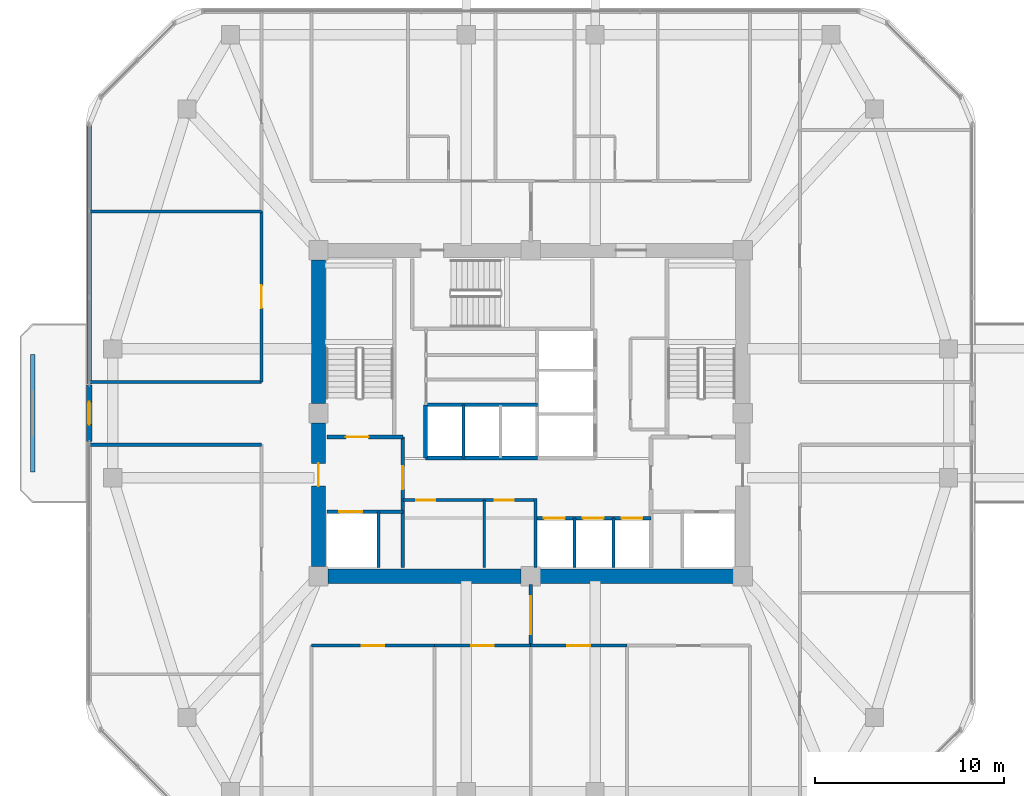
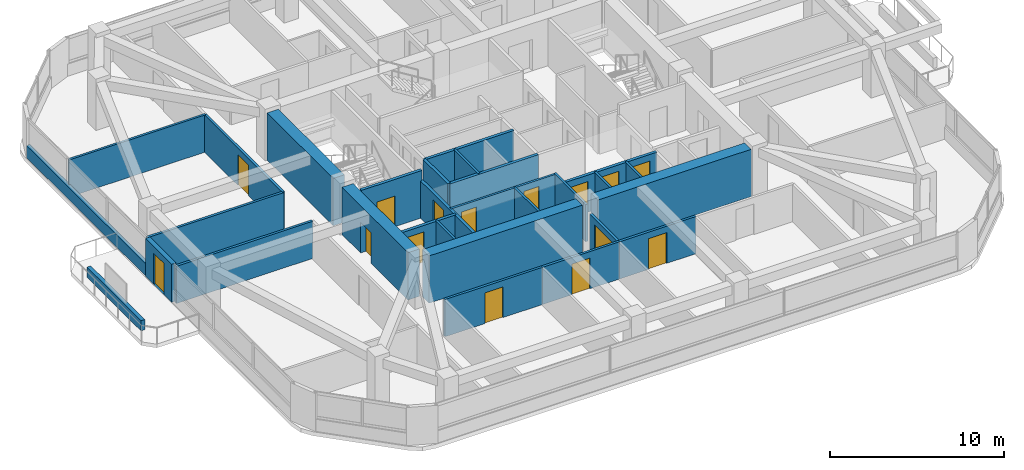
# One storey, part 8 of 13: 29 walls, 15 doors, 15 openings.
"""IFC4 building model written with IfcOpenShell, lengths in metres."""

from ifc_helpers import new_model, si_unit, derived_unit, direction, frame, frame_2d, origin, place, context, subcontext, project, spatial, rectangle, extrude, material, layer, layer_set, type_object, element, fill, save


model = new_model("IFC4")

# Units and contexts
model_context = context("Model", 3, precision=1e-05, world=origin(), true_north=direction((0.0, 1.0)))
body_context = subcontext(model_context, "Body", "Model", "MODEL_VIEW")
ifc_project = project(units=[si_unit("LENGTHUNIT", "METRE"), si_unit("AREAUNIT", "SQUARE_METRE"), si_unit("VOLUMEUNIT", "CUBIC_METRE"), si_unit("PLANEANGLEUNIT", "RADIAN"), si_unit("MASSUNIT", "GRAM", prefix="KILO"), derived_unit("THERMALTRANSMITTANCEUNIT", [(si_unit("POWERUNIT", "WATT"), 1), (si_unit("LENGTHUNIT", "METRE"), -2), (si_unit("THERMODYNAMICTEMPERATUREUNIT", "KELVIN"), -1)])], contexts=[model_context])

# Site, building, storey
site_placement = place(None, origin())
site = spatial("IfcSite", under=ifc_project, at=site_placement, CompositionType="ELEMENT")
building_placement = place(site_placement, origin())
building = spatial("IfcBuilding", under=site, at=building_placement, Name="Koralith Skygarden Medical Center", CompositionType="ELEMENT")
storey_placement = place(building_placement, frame((0.0, 0.0, 142.02001953125)))
storey = spatial("IfcBuildingStorey", under=building, at=storey_placement, Name="L36", CompositionType="ELEMENT", Elevation=142.02001953125)

# Wall, openings, doors
ifc_material_1 = material(Name="Gypsum Board Partition")
ifc_layer_1 = layer(ifc_material_1, 0.14990234375)
ifc_layer_set_1 = layer_set([ifc_layer_1], Name="Gypsum Board Partition")
wall_type_1 = type_object("IfcWallType", Name="Clinical Acoustic Partition 150", PredefinedType="PARTITIONING", material=ifc_layer_set_1)
wall_1_placement = place(storey_placement, frame((30.25, 21.320068359375, 0.0), z_axis=(0.0, 0.0, 1.0), x_axis=(1.0, 0.0, 0.0)))
wall_1 = element("IfcWall", 1, at=wall_1_placement, inside=storey, type_object=wall_type_1, Name="L36 Clinical Acoustic Partition 150 W-CORE-L36-FREED-LR-N", PredefinedType="PARTITIONING", context=body_context, shape_type="SweptSolid", body=[
    extrude(rectangle(XDim=7.0, YDim=0.14990234375, at=frame_2d((3.5, 0.0))), origin(), (0.0, 0.0, 1.0), 2.60986328125),
])
opening_1_placement = place(wall_1_placement, frame((0.699951171875, 0.0, 0.0)))
opening_1 = element("IfcOpeningElement", 2, at=opening_1_placement, cuts=wall_1, Name="Opening D-SUP", PredefinedType="OPENING", context=body_context, shape_type="SweptSolid", body=[
    extrude(rectangle(XDim=1.0, YDim=2.14990234375, at=frame_2d((0.5, 1.074951171875))), frame((0.0, 0.0849609375, 0.0), z_axis=(0.0, -1.0, 0.0), x_axis=(1.0, 0.0, 0.0)), (0.0, 0.0, 1.0), 0.169921875),
])
opening_2_placement = place(wall_1_placement, frame((4.85009765625, 0.0, 0.0)))
opening_2 = element("IfcOpeningElement", 3, at=opening_2_placement, cuts=wall_1, Name="Opening D-SUP", PredefinedType="OPENING", context=body_context, shape_type="SweptSolid", body=[
    extrude(rectangle(XDim=1.0, YDim=2.14990234375, at=frame_2d((0.5, 1.074951171875))), frame((0.0, 0.0849609375, 0.0), z_axis=(0.0, -1.0, 0.0), x_axis=(1.0, 0.0, 0.0)), (0.0, 0.0, 1.0), 0.169921875),
])
ifc_material_2 = material(Name="Aluminium 6063-T6", Category="aluminium")
door_type_1 = type_object("IfcDoorType", Name="Clinical Support Door D-SUP 1000", OperationType="NOTDEFINED", PredefinedType="DOOR", material=ifc_material_2)
door_1_placement = place(opening_1_placement, frame((1.0, 0.0, 0.0), z_axis=(0.0, 0.0, 1.0), x_axis=(-1.0, 0.0, 0.0)))
door_1 = element("IfcDoor", 4, at=door_1_placement, inside=storey, type_object=door_type_1, Name="L36 Medication Preparation Door", OperationType="SINGLE_SWING_LEFT", OverallHeight=2.14990234375, OverallWidth=1.0, PredefinedType="DOOR", context=body_context, shape_type="SweptSolid", body=[
    extrude(rectangle(XDim=1.0, YDim=2.14990234375, at=frame_2d((0.5, 1.074951171875))), frame((0.0, 0.02490234375, 0.0), z_axis=(0.0, -1.0, 0.0), x_axis=(1.0, 0.0, 0.0)), (0.0, 0.0, 1.0), 0.050048828125),
])
fill(opening_1, door_1)
door_2_placement = place(opening_2_placement, frame((1.0, 0.0, 0.0), z_axis=(0.0, 0.0, 1.0), x_axis=(-1.0, 0.0, 0.0)))
door_2 = element("IfcDoor", 5, at=door_2_placement, inside=storey, type_object=door_type_1, Name="L36 Telemetry Room Door", OperationType="SINGLE_SWING_RIGHT", OverallHeight=2.14990234375, OverallWidth=1.0, PredefinedType="DOOR", context=body_context, shape_type="SweptSolid", body=[
    extrude(rectangle(XDim=1.0, YDim=2.14990234375, at=frame_2d((0.5, 1.074951171875))), frame((0.0, 0.02490234375, 0.0), z_axis=(0.0, -1.0, 0.0), x_axis=(1.0, 0.0, 0.0)), (0.0, 0.0, 1.0), 0.050048828125),
])
fill(opening_2, door_2)

# Walls
wall_2_placement = place(storey_placement, frame((34.550048828125, 17.75, 0.0), z_axis=(0.0, 0.0, 1.0), x_axis=(0.0, 1.0, 0.0)))
element("IfcWall", 6, at=wall_2_placement, inside=storey, type_object=wall_type_1, Name="L36 Clinical Acoustic Partition 150 W-CORE-L36-FREED-LR-M", PredefinedType="PARTITIONING", context=body_context, shape_type="SweptSolid", body=[
    extrude(rectangle(XDim=3.570068359375, YDim=0.14990234375, at=frame_2d((1.78515625, 0.0))), origin(), (0.0, 0.0, 1.0), 2.60986328125),
])
wall_3_placement = place(storey_placement, frame((22.7900390625, 36.548095703125, 0.0), z_axis=(0.0, 0.0, 1.0), x_axis=(-1.0, 0.0, 0.0)))
element("IfcWall", 7, at=wall_3_placement, inside=storey, type_object=wall_type_1, Name="L36 Clinical Acoustic Partition 150 W-PART-L36-WN-01", PredefinedType="PARTITIONING", context=body_context, shape_type="SweptSolid", body=[
    extrude(rectangle(XDim=9.073974609375, YDim=0.14990234375, at=frame_2d((4.537109375, 0.0))), origin(), (0.0, 0.0, 1.0), 2.60986328125),
])
ifc_layer_2 = layer(ifc_material_1, 0.1650390625)
ifc_layer_set_2 = layer_set([ifc_layer_2], Name="Gypsum Board Partition")
wall_type_2 = type_object("IfcWallType", Name="Clinical Corridor Partition 165", PredefinedType="PARTITIONING", material=ifc_layer_set_2)
for number, where, z_axis, x_axis, name in (
    (8, (13.716064453125, 24.239990234375, 0.0), (0.0, 0.0, 1.0), (1.0, 0.0, 0.0), "L36 Clinical Corridor Partition 165 W-HCOR-L36-EWS-W"),
    (9, (13.716064453125, 27.56005859375, 0.0), (0.0, 0.0, 1.0), (1.0, 0.0, 0.0), "L36 Clinical Corridor Partition 165 W-HCOR-L36-EWN-W"),
):
    element("IfcWall", number, at=place(storey_placement, frame(where, z_axis=z_axis, x_axis=x_axis)), inside=storey, type_object=wall_type_2, Name=name, PredefinedType="PARTITIONING", context=body_context, shape_type="SweptSolid", body=[
        extrude(rectangle(XDim=9.073974609375, YDim=0.1650390625, at=frame_2d((4.537109375, 0.0))), origin(), (0.0, 0.0, 1.0), 2.60986328125),
    ])

# Wall, opening, door
wall_4_placement = place(storey_placement, frame((25.429931640625, 13.639892578125, 0.0), z_axis=(0.0, 0.0, 1.0), x_axis=(1.0, 0.0, 0.0)))
wall_4 = element("IfcWall", 10, at=wall_4_placement, inside=storey, type_object=wall_type_2, Name="L36 Clinical Corridor Partition 165 W-CORR-L36-S-01", PredefinedType="PARTITIONING", context=body_context, shape_type="SweptSolid", body=[
    extrude(rectangle(XDim=6.484130859375, YDim=0.1650390625, at=frame_2d((3.2421875, 0.0))), origin(), (0.0, 0.0, 1.0), 2.60986328125),
])
opening_3_placement = place(wall_4_placement, frame((2.64208984375, 0.0, 0.0)))
opening_3 = element("IfcOpeningElement", 11, at=opening_3_placement, cuts=wall_4, Name="Opening D-CLN", PredefinedType="OPENING", context=body_context, shape_type="SweptSolid", body=[
    extrude(rectangle(XDim=1.199951171875, YDim=2.14990234375, at=frame_2d((0.60009765625, 1.074951171875))), frame((0.0, 0.092529296875, 0.0), z_axis=(0.0, -1.0, 0.0), x_axis=(1.0, 0.0, 0.0)), (0.0, 0.0, 1.0), 0.18505859375),
])
door_type_2 = type_object("IfcDoorType", Name="Clinical Corridor Door D-CLN 1200", OperationType="NOTDEFINED", PredefinedType="DOOR", material=ifc_material_2)
door_3_placement = place(opening_3_placement, frame((1.199951171875, 0.0, 0.0), z_axis=(0.0, 0.0, 1.0), x_axis=(-1.0, 0.0, 0.0)))
door_3 = element("IfcDoor", 12, at=door_3_placement, inside=storey, type_object=door_type_2, Name="L36 Clinical Consultation Office 06 Door", OperationType="SINGLE_SWING_LEFT", OverallHeight=2.14990234375, OverallWidth=1.199951171875, PredefinedType="DOOR", context=body_context, shape_type="SweptSolid", body=[
    extrude(rectangle(XDim=1.199951171875, YDim=2.14990234375, at=frame_2d((0.60009765625, 1.074951171875))), frame((0.0, 0.02490234375, 0.0), z_axis=(0.0, -1.0, 0.0), x_axis=(1.0, 0.0, 0.0)), (0.0, 0.0, 1.0), 0.050048828125),
])
fill(opening_3, door_3)

wall_5_placement = place(storey_placement, frame((31.9140625, 13.639892578125, 0.0), z_axis=(0.0, 0.0, 1.0), x_axis=(1.0, 0.0, 0.0)))
wall_5 = element("IfcWall", 13, at=wall_5_placement, inside=storey, type_object=wall_type_2, Name="L36 Clinical Corridor Partition 165 W-CORR-L36-S-02", PredefinedType="PARTITIONING", context=body_context, shape_type="SweptSolid", body=[
    extrude(rectangle(XDim=5.0859375, YDim=0.1650390625, at=frame_2d((2.54296875, 0.0))), origin(), (0.0, 0.0, 1.0), 2.60986328125),
])
opening_4_placement = place(wall_5_placement, frame((1.943115234375, 0.0, 0.0)))
opening_4 = element("IfcOpeningElement", 14, at=opening_4_placement, cuts=wall_5, Name="Opening D-CLN", PredefinedType="OPENING", context=body_context, shape_type="SweptSolid", body=[
    extrude(rectangle(XDim=1.199951171875, YDim=2.14990234375, at=frame_2d((0.60009765625, 1.074951171875))), frame((0.0, 0.092529296875, 0.0), z_axis=(0.0, -1.0, 0.0), x_axis=(1.0, 0.0, 0.0)), (0.0, 0.0, 1.0), 0.18505859375),
])
door_4_placement = place(opening_4_placement, frame((1.199951171875, 0.0, 0.0), z_axis=(0.0, 0.0, 1.0), x_axis=(-1.0, 0.0, 0.0)))
door_4 = element("IfcDoor", 15, at=door_4_placement, inside=storey, type_object=door_type_2, Name="L36 Procedure and Minor Treatment Room 07 Door", OperationType="SINGLE_SWING_RIGHT", OverallHeight=2.14990234375, OverallWidth=1.199951171875, PredefinedType="DOOR", context=body_context, shape_type="SweptSolid", body=[
    extrude(rectangle(XDim=1.199951171875, YDim=2.14990234375, at=frame_2d((0.60009765625, 1.074951171875))), frame((0.0, 0.02490234375, 0.0), z_axis=(0.0, -1.0, 0.0), x_axis=(1.0, 0.0, 0.0)), (0.0, 0.0, 1.0), 0.050048828125),
])
fill(opening_4, door_4)

wall_6_placement = place(storey_placement, frame((37.0, 13.639892578125, 0.0), z_axis=(0.0, 0.0, 1.0), x_axis=(1.0, 0.0, 0.0)))
wall_6 = element("IfcWall", 16, at=wall_6_placement, inside=storey, type_object=wall_type_2, Name="L36 Clinical Corridor Partition 165 W-CORR-L36-S-03", PredefinedType="PARTITIONING", context=body_context, shape_type="SweptSolid", body=[
    extrude(rectangle(XDim=5.0859375, YDim=0.1650390625, at=frame_2d((2.54296875, 0.0))), origin(), (0.0, 0.0, 1.0), 2.60986328125),
])
opening_5_placement = place(wall_6_placement, frame((1.943115234375, 0.0, 0.0)))
opening_5 = element("IfcOpeningElement", 17, at=opening_5_placement, cuts=wall_6, Name="Opening D-CLN", PredefinedType="OPENING", context=body_context, shape_type="SweptSolid", body=[
    extrude(rectangle(XDim=1.199951171875, YDim=2.14990234375, at=frame_2d((0.60009765625, 1.074951171875))), frame((0.0, 0.092529296875, 0.0), z_axis=(0.0, -1.0, 0.0), x_axis=(1.0, 0.0, 0.0)), (0.0, 0.0, 1.0), 0.18505859375),
])
door_5_placement = place(opening_5_placement, frame((1.199951171875, 0.0, 0.0), z_axis=(0.0, 0.0, 1.0), x_axis=(-1.0, 0.0, 0.0)))
door_5 = element("IfcDoor", 18, at=door_5_placement, inside=storey, type_object=door_type_2, Name="L36 Wound Care Treatment Room 08 Door", OperationType="SINGLE_SWING_LEFT", OverallHeight=2.14990234375, OverallWidth=1.199951171875, PredefinedType="DOOR", context=body_context, shape_type="SweptSolid", body=[
    extrude(rectangle(XDim=1.199951171875, YDim=2.14990234375, at=frame_2d((0.60009765625, 1.074951171875))), frame((0.0, 0.02490234375, 0.0), z_axis=(0.0, -1.0, 0.0), x_axis=(1.0, 0.0, 0.0)), (0.0, 0.0, 1.0), 0.050048828125),
])
fill(opening_5, door_5)

wall_7_placement = place(storey_placement, frame((22.7900390625, 27.56005859375, 0.0), z_axis=(0.0, 0.0, 1.0), x_axis=(0.0, 1.0, 0.0)))
wall_7 = element("IfcWall", 19, at=wall_7_placement, inside=storey, type_object=wall_type_2, Name="L36 Clinical Corridor Partition 165 W-CORR-L36-WN-01", PredefinedType="PARTITIONING", context=body_context, shape_type="SweptSolid", body=[
    extrude(rectangle(XDim=8.988037109375, YDim=0.1650390625, at=frame_2d((4.494140625, 0.0))), origin(), (0.0, 0.0, 1.0), 2.60986328125),
])
opening_6_placement = place(wall_7_placement, frame((3.89404296875, 0.0, 0.0)))
opening_6 = element("IfcOpeningElement", 20, at=opening_6_placement, cuts=wall_7, Name="Opening D-CLN", PredefinedType="OPENING", context=body_context, shape_type="SweptSolid", body=[
    extrude(rectangle(XDim=1.199951171875, YDim=2.14990234375, at=frame_2d((0.60009765625, 1.074951171875))), frame((0.0, 0.092529296875, 0.0), z_axis=(0.0, -1.0, 0.0), x_axis=(1.0, 0.0, 0.0)), (0.0, 0.0, 1.0), 0.18505859375),
])
door_6_placement = place(opening_6_placement, frame((1.199951171875, 0.0, 0.0), z_axis=(0.0, 0.0, 1.0), x_axis=(-1.0, 0.0, 0.0)))
door_6 = element("IfcDoor", 21, at=door_6_placement, inside=storey, type_object=door_type_2, Name="L36 Wound Care Treatment Room 12 Door", OperationType="SINGLE_SWING_LEFT", OverallHeight=2.14990234375, OverallWidth=1.199951171875, PredefinedType="DOOR", context=body_context, shape_type="SweptSolid", body=[
    extrude(rectangle(XDim=1.199951171875, YDim=2.14990234375, at=frame_2d((0.60009765625, 1.074951171875))), frame((0.0, 0.02490234375, 0.0), z_axis=(0.0, -1.0, 0.0), x_axis=(1.0, 0.0, 0.0)), (0.0, 0.0, 1.0), 0.050048828125),
])
fill(opening_6, door_6)

ifc_layer_3 = layer(ifc_material_1, 0.199951171875)
ifc_layer_set_3 = layer_set([ifc_layer_3], Name="Gypsum Board Partition")
wall_type_3 = type_object("IfcWallType", Name="Fire Shaft Wall 200", PredefinedType="SOLIDWALL", material=ifc_layer_set_3)
wall_8_placement = place(storey_placement, frame((26.25, 20.699951171875, 0.0), z_axis=(0.0, 0.0, 1.0), x_axis=(1.0, 0.0, 0.0)))
wall_8 = element("IfcWall", 22, at=wall_8_placement, inside=storey, type_object=wall_type_3, Name="L36 Fire Shaft Wall 200 W-CORE-L36-FF1-N", PredefinedType="SOLIDWALL", context=body_context, shape_type="SweptSolid", body=[
    extrude(rectangle(XDim=4.0, YDim=0.199951171875, at=frame_2d((2.0, 0.0))), origin(), (0.0, 0.0, 1.0), 2.60986328125),
])
opening_7_placement = place(wall_8_placement, frame((0.64990234375, 0.0, 0.0)))
opening_7 = element("IfcOpeningElement", 23, at=opening_7_placement, cuts=wall_8, Name="Opening LD-FF", PredefinedType="OPENING", context=body_context, shape_type="SweptSolid", body=[
    extrude(rectangle(XDim=1.199951171875, YDim=2.14990234375, at=frame_2d((0.60009765625, 1.074951171875))), frame((0.0, 0.10986328125, 0.0), z_axis=(0.0, -1.0, 0.0), x_axis=(1.0, 0.0, 0.0)), (0.0, 0.0, 1.0), 0.219970703125),
])
ifc_material_3 = material(Name="Steel ASTM A500 Grade C", Category="steel")
door_type_3 = type_object("IfcDoorType", Name="Fire Lift Sliding Landing Door LD-FF 1200", OperationType="NOTDEFINED", PredefinedType="DOOR", material=ifc_material_3)
door_7_placement = place(opening_7_placement, origin())
door_7 = element("IfcDoor", 24, at=door_7_placement, inside=storey, type_object=door_type_3, Name="L36 Fire Service Elevator FF1 Landing Door", OperationType="SLIDING_TO_LEFT", OverallHeight=2.14990234375, OverallWidth=1.199951171875, PredefinedType="DOOR", context=body_context, shape_type="SweptSolid", body=[
    extrude(rectangle(XDim=1.199951171875, YDim=2.14990234375, at=frame_2d((0.60009765625, 1.074951171875))), frame((0.0, 0.02490234375, 0.0), z_axis=(0.0, -1.0, 0.0), x_axis=(1.0, 0.0, 0.0)), (0.0, 0.0, 1.0), 0.050048828125),
])
fill(opening_7, door_7)

wall_9_placement = place(storey_placement, frame((30.25, 17.75, 0.0), z_axis=(0.0, 0.0, 1.0), x_axis=(0.0, 1.0, 0.0)))
wall_9 = element("IfcWall", 25, at=wall_9_placement, inside=storey, type_object=wall_type_3, Name="L36 Fire Shaft Wall 200 W-CORE-L36-FSAEW-E", PredefinedType="SOLIDWALL", context=body_context, shape_type="SweptSolid", body=[
    extrude(rectangle(XDim=6.89990234375, YDim=0.199951171875, at=frame_2d((3.449951171875, 0.0))), origin(), (0.0, 0.0, 1.0), 2.60986328125),
])
opening_8_placement = place(wall_9_placement, frame((4.14990234375, 0.0, 0.0)))
opening_8 = element("IfcOpeningElement", 26, at=opening_8_placement, cuts=wall_9, Name="Opening D-ST60", PredefinedType="OPENING", context=body_context, shape_type="SweptSolid", body=[
    extrude(rectangle(XDim=1.199951171875, YDim=2.14990234375, at=frame_2d((0.60009765625, 1.074951171875))), frame((0.0, 0.10986328125, 0.0), z_axis=(0.0, -1.0, 0.0), x_axis=(1.0, 0.0, 0.0)), (0.0, 0.0, 1.0), 0.219970703125),
])
door_type_4 = type_object("IfcDoorType", Name="Smokeproof Stair Fire Door FD60S 1200", OperationType="NOTDEFINED", PredefinedType="DOOR", material=ifc_material_3)
door_8_placement = place(opening_8_placement, origin())
door_8 = element("IfcDoor", 27, at=door_8_placement, inside=storey, type_object=door_type_4, Name="L36 West Firefighting Lobby Inner Fire Door", OperationType="SINGLE_SWING_LEFT", OverallHeight=2.14990234375, OverallWidth=1.199951171875, PredefinedType="DOOR", context=body_context, shape_type="SweptSolid", body=[
    extrude(rectangle(XDim=1.199951171875, YDim=2.14990234375, at=frame_2d((0.60009765625, 1.074951171875))), frame((0.0, 0.02490234375, 0.0), z_axis=(0.0, -1.0, 0.0), x_axis=(1.0, 0.0, 0.0)), (0.0, 0.0, 1.0), 0.050048828125),
])
fill(opening_8, door_8)

# Wall, openings, doors
wall_10_placement = place(storey_placement, frame((37.25, 20.360107421875, 0.0), z_axis=(0.0, 0.0, 1.0), x_axis=(1.0, 0.0, 0.0)))
wall_10 = element("IfcWall", 28, at=wall_10_placement, inside=storey, type_object=wall_type_3, Name="L36 Fire Shaft Wall 200 W-CORE-L36-PM-N", PredefinedType="SOLIDWALL", context=body_context, shape_type="SweptSolid", body=[
    extrude(rectangle(XDim=6.10009765625, YDim=0.199951171875, at=frame_2d((3.050048828125, 0.0))), origin(), (0.0, 0.0, 1.0), 2.60986328125),
])
opening_9_placement = place(wall_10_placement, frame((0.449951171875, 0.0, 0.0)))
opening_9 = element("IfcOpeningElement", 29, at=opening_9_placement, cuts=wall_10, Name="Opening LD-P", PredefinedType="OPENING", context=body_context, shape_type="SweptSolid", body=[
    extrude(rectangle(XDim=1.10009765625, YDim=2.14990234375, at=frame_2d((0.550048828125, 1.074951171875))), frame((0.0, 0.10986328125, 0.0), z_axis=(0.0, -1.0, 0.0), x_axis=(1.0, 0.0, 0.0)), (0.0, 0.0, 1.0), 0.219970703125),
])
opening_10_placement = place(wall_10_placement, frame((2.5, 0.0, 0.0)))
opening_10 = element("IfcOpeningElement", 30, at=opening_10_placement, cuts=wall_10, Name="Opening LD-P", PredefinedType="OPENING", context=body_context, shape_type="SweptSolid", body=[
    extrude(rectangle(XDim=1.10009765625, YDim=2.14990234375, at=frame_2d((0.550048828125, 1.074951171875))), frame((0.0, 0.10986328125, 0.0), z_axis=(0.0, -1.0, 0.0), x_axis=(1.0, 0.0, 0.0)), (0.0, 0.0, 1.0), 0.219970703125),
])
opening_11_placement = place(wall_10_placement, frame((4.550048828125, 0.0, 0.0)))
opening_11 = element("IfcOpeningElement", 31, at=opening_11_placement, cuts=wall_10, Name="Opening LD-P", PredefinedType="OPENING", context=body_context, shape_type="SweptSolid", body=[
    extrude(rectangle(XDim=1.10009765625, YDim=2.14990234375, at=frame_2d((0.550048828125, 1.074951171875))), frame((0.0, 0.10986328125, 0.0), z_axis=(0.0, -1.0, 0.0), x_axis=(1.0, 0.0, 0.0)), (0.0, 0.0, 1.0), 0.219970703125),
])
door_type_5 = type_object("IfcDoorType", Name="Passenger Lift Sliding Landing Door LD-P 1100", OperationType="NOTDEFINED", PredefinedType="DOOR", material=ifc_material_3)
door_9_placement = place(opening_9_placement, origin())
door_9 = element("IfcDoor", 32, at=door_9_placement, inside=storey, type_object=door_type_5, Name="L36 Passenger Elevator PM1 Landing Door", OperationType="SLIDING_TO_LEFT", OverallHeight=2.14990234375, OverallWidth=1.10009765625, PredefinedType="DOOR", context=body_context, shape_type="SweptSolid", body=[
    extrude(rectangle(XDim=1.10009765625, YDim=2.14990234375, at=frame_2d((0.550048828125, 1.074951171875))), frame((0.0, 0.02490234375, 0.0), z_axis=(0.0, -1.0, 0.0), x_axis=(1.0, 0.0, 0.0)), (0.0, 0.0, 1.0), 0.050048828125),
])
fill(opening_9, door_9)
door_10_placement = place(opening_10_placement, origin())
door_10 = element("IfcDoor", 33, at=door_10_placement, inside=storey, type_object=door_type_5, Name="L36 Passenger Elevator PM2 Landing Door", OperationType="SLIDING_TO_LEFT", OverallHeight=2.14990234375, OverallWidth=1.10009765625, PredefinedType="DOOR", context=body_context, shape_type="SweptSolid", body=[
    extrude(rectangle(XDim=1.10009765625, YDim=2.14990234375, at=frame_2d((0.550048828125, 1.074951171875))), frame((0.0, 0.02490234375, 0.0), z_axis=(0.0, -1.0, 0.0), x_axis=(1.0, 0.0, 0.0)), (0.0, 0.0, 1.0), 0.050048828125),
])
fill(opening_10, door_10)
door_11_placement = place(opening_11_placement, origin())
door_11 = element("IfcDoor", 34, at=door_11_placement, inside=storey, type_object=door_type_5, Name="L36 Passenger Elevator PM3 Landing Door", OperationType="SLIDING_TO_LEFT", OverallHeight=2.14990234375, OverallWidth=1.10009765625, PredefinedType="DOOR", context=body_context, shape_type="SweptSolid", body=[
    extrude(rectangle(XDim=1.10009765625, YDim=2.14990234375, at=frame_2d((0.550048828125, 1.074951171875))), frame((0.0, 0.02490234375, 0.0), z_axis=(0.0, -1.0, 0.0), x_axis=(1.0, 0.0, 0.0)), (0.0, 0.0, 1.0), 0.050048828125),
])
fill(opening_11, door_11)

# Walls
for number, where, z_axis, x_axis, name in (
    (35, (31.449951171875, 23.5400390625, 0.0), (0.0, 0.0, 1.0), (1.0, 0.0, 0.0), "L36 Fire Shaft Wall 200 W-CORE-L36-PH-S"),
    (36, (31.449951171875, 26.35009765625, 0.0), (0.0, 0.0, 1.0), (1.0, 0.0, 0.0), "L36 Fire Shaft Wall 200 W-CORE-L36-PH-N"),
):
    element("IfcWall", number, at=place(storey_placement, frame(where, z_axis=z_axis, x_axis=x_axis)), inside=storey, type_object=wall_type_3, Name=name, PredefinedType="SOLIDWALL", context=body_context, shape_type="SweptSolid", body=[
        extrude(rectangle(XDim=5.900146484375, YDim=0.199951171875, at=frame_2d((2.9501953125, 0.0))), origin(), (0.0, 0.0, 1.0), 2.60986328125),
    ])
wall_11_placement = place(storey_placement, frame((31.449951171875, 23.5400390625, 0.0), z_axis=(0.0, 0.0, 1.0), x_axis=(0.0, 1.0, 0.0)))
element("IfcWall", 37, at=wall_11_placement, inside=storey, type_object=wall_type_3, Name="L36 Fire Shaft Wall 200 W-CORE-L36-PH-W", PredefinedType="SOLIDWALL", context=body_context, shape_type="SweptSolid", body=[
    extrude(rectangle(XDim=2.81005859375, YDim=0.199951171875, at=frame_2d((1.405029296875, 0.0))), origin(), (0.0, 0.0, 1.0), 2.60986328125),
])

# Wall, opening, door
ifc_layer_4 = layer(ifc_material_1, 0.179931640625)
ifc_layer_set_4 = layer_set([ifc_layer_4], Name="Gypsum Board Partition")
wall_type_4 = type_object("IfcWallType", Name="Group I-2 Smoke Barrier Wall 180", PredefinedType="PARTITIONING", material=ifc_layer_set_4)
wall_12_placement = place(storey_placement, frame((37.0, 13.639892578125, 0.0), z_axis=(0.0, 0.0, 1.0), x_axis=(0.0, 1.0, 0.0)))
wall_12 = element("IfcWall", 38, at=wall_12_placement, inside=storey, type_object=wall_type_4, Name="L36 Group I-2 Smoke Barrier Wall 180 W-SMK-L36-S", PredefinedType="PARTITIONING", context=body_context, shape_type="SweptSolid", body=[
    extrude(rectangle(XDim=3.210205078125, YDim=0.179931640625, at=frame_2d((1.60498046875, 0.0))), origin(), (0.0, 0.0, 1.0), 2.60986328125),
])
opening_12_placement = place(wall_12_placement, frame((0.60498046875, 0.0, 0.0)))
opening_12 = element("IfcOpeningElement", 39, at=opening_12_placement, cuts=wall_12, Name="Opening D-SMK", PredefinedType="OPENING", context=body_context, shape_type="SweptSolid", body=[
    extrude(rectangle(XDim=2.0, YDim=2.199951171875, at=frame_2d((1.0, 1.10009765625))), frame((0.0, 0.099853515625, 0.0), z_axis=(0.0, -1.0, 0.0), x_axis=(1.0, 0.0, 0.0)), (0.0, 0.0, 1.0), 0.199951171875),
])
door_type_6 = type_object("IfcDoorType", Name="Cross-Corridor Double Smoke Door FD60S 2000", OperationType="NOTDEFINED", PredefinedType="DOOR", material=ifc_material_3)
door_12_placement = place(opening_12_placement, frame((2.0, 0.0, 0.0), z_axis=(0.0, 0.0, 1.0), x_axis=(-1.0, 0.0, 0.0)))
door_12 = element("IfcDoor", 40, at=door_12_placement, inside=storey, type_object=door_type_6, Name="L36 S Smoke Compartment Cross-Corridor Door", OperationType="DOUBLE_DOOR_SINGLE_SWING", OverallHeight=2.199951171875, OverallWidth=2.0, PredefinedType="DOOR", context=body_context, shape_type="SweptSolid", body=[
    extrude(rectangle(XDim=2.0, YDim=2.199951171875, at=frame_2d((1.0, 1.10009765625))), frame((0.0, 0.02490234375, 0.0), z_axis=(0.0, -1.0, 0.0), x_axis=(1.0, 0.0, 0.0)), (0.0, 0.0, 1.0), 0.050048828125),
])
fill(opening_12, door_12)

# Walls
ifc_material_4 = material(Name="Warm Oolitic Limestone Cladding", Category="masonry")
ifc_layer_5 = layer(ifc_material_4, 0.239990234375)
ifc_layer_set_5 = layer_set([ifc_layer_5], Name="Warm Oolitic Limestone Cladding")
wall_type_5 = type_object("IfcWallType", Name="Limestone Spandrel Sill Backup Wall 240", PredefinedType="SOLIDWALL", material=ifc_layer_set_5)
wall_13_placement = place(storey_placement, frame((13.696044921875, 41.14501953125, 0.0), z_axis=(0.0, 0.0, 1.0), x_axis=(0.0, -1.0, 0.0)))
element("IfcWall", 41, at=wall_13_placement, inside=storey, type_object=wall_type_5, Name="L36 Sill Spandrel W-L", PredefinedType="SOLIDWALL", context=body_context, shape_type="SweptSolid", body=[
    extrude(rectangle(XDim=13.705078125, YDim=0.239990234375, at=frame_2d((6.8525390625, 0.0))), origin(), (0.0, 0.0, 1.0), 0.85009765625),
])
ifc_material_5 = material(Name="Concrete C70/85", Category="concrete")
ifc_layer_6 = layer(ifc_material_5, 0.75)
ifc_layer_set_6 = layer_set([ifc_layer_6], Name="Concrete C70/85")
wall_type_6 = type_object("IfcWallType", Name="Mid Core Shear Wall 750", PredefinedType="SHEAR", material=ifc_layer_set_6)
for number, where, z_axis, x_axis, name in (
    (42, (26.304931640625, 17.300048828125, 0.0), (0.0, 0.0, 1.0), (1.0, 0.0, 0.0), "L36 Core Shear Wall Segment 1"),
    (43, (37.5048828125, 17.300048828125, 0.0), (0.0, 0.0, 1.0), (1.0, 0.0, 0.0), "L36 Core Shear Wall Segment 2"),
):
    element("IfcWall", number, at=place(storey_placement, frame(where, z_axis=z_axis, x_axis=x_axis)), inside=storey, type_object=wall_type_6, Name=name, PredefinedType="SHEAR", context=body_context, shape_type="SweptSolid", body=[
        extrude(rectangle(XDim=10.190185546875, YDim=0.75, at=frame_2d((5.09521484375, 0.0))), origin(), (0.0, 0.0, 1.0), 3.320068359375),
    ])
wall_14_placement = place(storey_placement, frame((25.800048828125, 33.9951171875, 0.0), z_axis=(0.0, 0.0, 1.0), x_axis=(0.0, -1.0, 0.0)))
element("IfcWall", 44, at=wall_14_placement, inside=storey, type_object=wall_type_6, Name="L36 Core Shear Wall Segment 7", PredefinedType="SHEAR", context=body_context, shape_type="SweptSolid", body=[
    extrude(rectangle(XDim=7.590087890625, YDim=0.75, at=frame_2d((3.794921875, 0.0))), origin(), (0.0, 0.0, 1.0), 3.320068359375),
])

# Wall, opening, door
wall_15_placement = place(storey_placement, frame((25.800048828125, 25.39501953125, 0.0), z_axis=(0.0, 0.0, 1.0), x_axis=(0.0, -1.0, 0.0)))
wall_15 = element("IfcWall", 45, at=wall_15_placement, inside=storey, type_object=wall_type_6, Name="L36 Core Shear Wall Segment 8", PredefinedType="SHEAR", context=body_context, shape_type="SweptSolid", body=[
    extrude(rectangle(XDim=7.590087890625, YDim=0.75, at=frame_2d((3.794921875, 0.0))), origin(), (0.0, 0.0, 1.0), 3.320068359375),
])
opening_13_placement = place(wall_15_placement, frame((2.14501953125, 0.0, 0.0)))
opening_13 = element("IfcOpeningElement", 46, at=opening_13_placement, cuts=wall_15, Name="Opening D-ST60", PredefinedType="OPENING", context=body_context, shape_type="SweptSolid", body=[
    extrude(rectangle(XDim=1.199951171875, YDim=2.14990234375, at=frame_2d((0.60009765625, 1.074951171875))), frame((0.0, 0.385009765625, 0.0), z_axis=(0.0, -1.0, 0.0), x_axis=(1.0, 0.0, 0.0)), (0.0, 0.0, 1.0), 0.77001953125),
])
door_13_placement = place(opening_13_placement, frame((1.199951171875, 0.0, 0.0), z_axis=(0.0, 0.0, 1.0), x_axis=(-1.0, 0.0, 0.0)))
door_13 = element("IfcDoor", 47, at=door_13_placement, inside=storey, type_object=door_type_4, Name="L36 West Corridor to Firefighting Lobby Door", OperationType="SINGLE_SWING_LEFT", OverallHeight=2.14990234375, OverallWidth=1.199951171875, PredefinedType="DOOR", context=body_context, shape_type="SweptSolid", body=[
    extrude(rectangle(XDim=1.199951171875, YDim=2.14990234375, at=frame_2d((0.60009765625, 1.074951171875))), frame((0.0, 0.02490234375, 0.0), z_axis=(0.0, -1.0, 0.0), x_axis=(1.0, 0.0, 0.0)), (0.0, 0.0, 1.0), 0.050048828125),
])
fill(opening_13, door_13)

ifc_layer_7 = layer(ifc_material_4, 0.300048828125)
ifc_layer_set_7 = layer_set([ifc_layer_7], Name="Warm Oolitic Limestone Cladding")
wall_type_7 = type_object("IfcWallType", Name="Oolitic Limestone Insulated Facade Wall 300", PredefinedType="SOLIDWALL", material=ifc_layer_set_7)
wall_16_placement = place(storey_placement, frame((13.696044921875, 27.39990234375, 0.0), z_axis=(0.0, 0.0, 1.0), x_axis=(0.0, -1.0, 0.0)))
wall_16 = element("IfcWall", 48, at=wall_16_placement, inside=storey, type_object=wall_type_7, Name="L36 Terrace Portal Wall W", PredefinedType="SOLIDWALL", context=body_context, shape_type="SweptSolid", body=[
    extrude(rectangle(XDim=3.0, YDim=0.300048828125, at=frame_2d((1.5, 0.0))), origin(), (0.0, 0.0, 1.0), 2.669921875),
])
opening_14_placement = place(wall_16_placement, frame((0.89990234375, 0.0, 0.0)))
opening_14 = element("IfcOpeningElement", 49, at=opening_14_placement, cuts=wall_16, Name="Opening D-BAL", PredefinedType="OPENING", context=body_context, shape_type="SweptSolid", body=[
    extrude(rectangle(XDim=1.199951171875, YDim=2.199951171875, at=frame_2d((0.60009765625, 1.10009765625))), frame((0.0, 0.159912109375, 0.0), z_axis=(0.0, -1.0, 0.0), x_axis=(1.0, 0.0, 0.0)), (0.0, 0.0, 1.0), 0.320068359375),
])
door_type_7 = type_object("IfcDoorType", Name="Planted Balcony Glazed Terrace Door D-BAL 1200", OperationType="NOTDEFINED", PredefinedType="DOOR", material=ifc_material_2)
door_14_placement = place(opening_14_placement, origin())
door_14 = element("IfcDoor", 50, at=door_14_placement, inside=storey, type_object=door_type_7, Name="L36 W Outdoor Terrace Access Door", OperationType="SINGLE_SWING_LEFT", OverallHeight=2.199951171875, OverallWidth=1.199951171875, PredefinedType="DOOR", context=body_context, shape_type="SweptSolid", body=[
    extrude(rectangle(XDim=1.199951171875, YDim=2.199951171875, at=frame_2d((0.60009765625, 1.10009765625))), frame((0.0, 0.02490234375, 0.0), z_axis=(0.0, -1.0, 0.0), x_axis=(1.0, 0.0, 0.0)), (0.0, 0.0, 1.0), 0.050048828125),
])
fill(opening_14, door_14)

# Walls
ifc_layer_8 = layer(ifc_material_1, 0.14990234375)
ifc_layer_set_8 = layer_set([ifc_layer_8], Name="Gypsum Board Partition")
wall_type_8 = type_object("IfcWallType", Name="Shaft Partition Wall 150", PredefinedType="PARTITIONING", material=ifc_layer_set_8)
wall_17_placement = place(storey_placement, frame((28.969970703125, 17.75, 0.0), z_axis=(0.0, 0.0, 1.0), x_axis=(0.0, 1.0, 0.0)))
element("IfcWall", 51, at=wall_17_placement, inside=storey, type_object=wall_type_8, Name="L36 Shaft Partition Wall 150 W-CORE-L36-RSRW-DIV", PredefinedType="PARTITIONING", context=body_context, shape_type="SweptSolid", body=[
    extrude(rectangle(XDim=2.949951171875, YDim=0.14990234375, at=frame_2d((1.47509765625, 0.0))), origin(), (0.0, 0.0, 1.0), 2.60986328125),
])
for number, where, z_axis, x_axis, name in (
    (52, (39.320068359375, 17.75, 0.0), (0.0, 0.0, 1.0), (0.0, 1.0, 0.0), "L36 Shaft Partition Wall 150 W-CORE-L36-PM-D1"),
    (53, (41.3701171875, 17.75, 0.0), (0.0, 0.0, 1.0), (0.0, 1.0, 0.0), "L36 Shaft Partition Wall 150 W-CORE-L36-PM-D2"),
):
    element("IfcWall", number, at=place(storey_placement, frame(where, z_axis=z_axis, x_axis=x_axis)), inside=storey, type_object=wall_type_8, Name=name, PredefinedType="PARTITIONING", context=body_context, shape_type="SweptSolid", body=[
        extrude(rectangle(XDim=2.610107421875, YDim=0.14990234375, at=frame_2d((1.30517578125, 0.0))), origin(), (0.0, 0.0, 1.0), 2.60986328125),
    ])
wall_18_placement = place(storey_placement, frame((37.25, 17.75, 0.0), z_axis=(0.0, 0.0, 1.0), x_axis=(0.0, 1.0, 0.0)))
element("IfcWall", 54, at=wall_18_placement, inside=storey, type_object=wall_type_8, Name="L36 Shaft Partition Wall 150 W-CORE-L36-PL-PM-SEP", PredefinedType="PARTITIONING", context=body_context, shape_type="SweptSolid", body=[
    extrude(rectangle(XDim=3.64990234375, YDim=0.14990234375, at=frame_2d((1.824951171875, 0.0))), origin(), (0.0, 0.0, 1.0), 2.60986328125),
])
wall_19_placement = place(storey_placement, frame((33.449951171875, 23.5400390625, 0.0), z_axis=(0.0, 0.0, 1.0), x_axis=(0.0, 1.0, 0.0)))
element("IfcWall", 55, at=wall_19_placement, inside=storey, type_object=wall_type_8, Name="L36 Shaft Partition Wall 150 W-CORE-L36-PH-D1", PredefinedType="PARTITIONING", context=body_context, shape_type="SweptSolid", body=[
    extrude(rectangle(XDim=2.81005859375, YDim=0.14990234375, at=frame_2d((1.405029296875, 0.0))), origin(), (0.0, 0.0, 1.0), 2.60986328125),
])
ifc_material_6 = material(Name="Precast concrete C40/50", Category="concrete")
ifc_layer_9 = layer(ifc_material_6, 0.25)
ifc_layer_set_9 = layer_set([ifc_layer_9], Name="Precast concrete C40/50")
wall_type_9 = type_object("IfcWallType", Name="Structural Concrete Balcony Planter Kerb 250", PredefinedType="PARAPET", material=ifc_layer_set_9)
wall_20_placement = place(storey_placement, frame((10.716064453125, 22.800048828125, 0.0), z_axis=(0.0, 0.0, 1.0), x_axis=(0.0, 1.0, 0.0)))
element("IfcWall", 56, at=wall_20_placement, inside=storey, type_object=wall_type_9, Name="L36 W Structural Tree PLANTER Box", PredefinedType="PARAPET", context=body_context, shape_type="SweptSolid", body=[
    extrude(rectangle(XDim=6.199951171875, YDim=0.25, at=frame_2d((3.10009765625, 0.0))), origin(), (0.0, 0.0, 1.0), 0.719970703125),
])

# Wall, opening, door
ifc_material_7 = material(Name="Concrete C45/55", Category="concrete")
ifc_layer_10 = layer(ifc_material_7, 0.199951171875)
ifc_layer_set_10 = layer_set([ifc_layer_10], Name="Concrete C45/55")
wall_type_10 = type_object("IfcWallType", Name="Structural Stair Shaft Wall 200", PredefinedType="SHEAR", material=ifc_layer_set_10)
wall_21_placement = place(storey_placement, frame((26.25, 24.64990234375, 0.0), z_axis=(0.0, 0.0, 1.0), x_axis=(1.0, 0.0, 0.0)))
wall_21 = element("IfcWall", 57, at=wall_21_placement, inside=storey, type_object=wall_type_10, Name="L36 Structural Stair Shaft Wall 200 W-CORE-L36-ST1-S", PredefinedType="SHEAR", context=body_context, shape_type="SweptSolid", body=[
    extrude(rectangle(XDim=4.0, YDim=0.199951171875, at=frame_2d((2.0, 0.0))), origin(), (0.0, 0.0, 1.0), 3.320068359375),
])
opening_15_placement = place(wall_21_placement, frame((1.0, 0.0, 0.0)))
opening_15 = element("IfcOpeningElement", 58, at=opening_15_placement, cuts=wall_21, Name="Opening D-ST60", PredefinedType="OPENING", context=body_context, shape_type="SweptSolid", body=[
    extrude(rectangle(XDim=1.199951171875, YDim=2.14990234375, at=frame_2d((0.60009765625, 1.074951171875))), frame((0.0, 0.10986328125, 0.0), z_axis=(0.0, -1.0, 0.0), x_axis=(1.0, 0.0, 0.0)), (0.0, 0.0, 1.0), 0.219970703125),
])
door_15_placement = place(opening_15_placement, origin())
door_15 = element("IfcDoor", 59, at=door_15_placement, inside=storey, type_object=door_type_4, Name="L36 Exit Stair ST1 Fire Door", OperationType="SINGLE_SWING_LEFT", OverallHeight=2.14990234375, OverallWidth=1.199951171875, PredefinedType="DOOR", context=body_context, shape_type="SweptSolid", body=[
    extrude(rectangle(XDim=1.199951171875, YDim=2.14990234375, at=frame_2d((0.60009765625, 1.074951171875))), frame((0.0, 0.02490234375, 0.0), z_axis=(0.0, -1.0, 0.0), x_axis=(1.0, 0.0, 0.0)), (0.0, 0.0, 1.0), 0.050048828125),
])
fill(opening_15, door_15)

save(model, "model.ifc")
